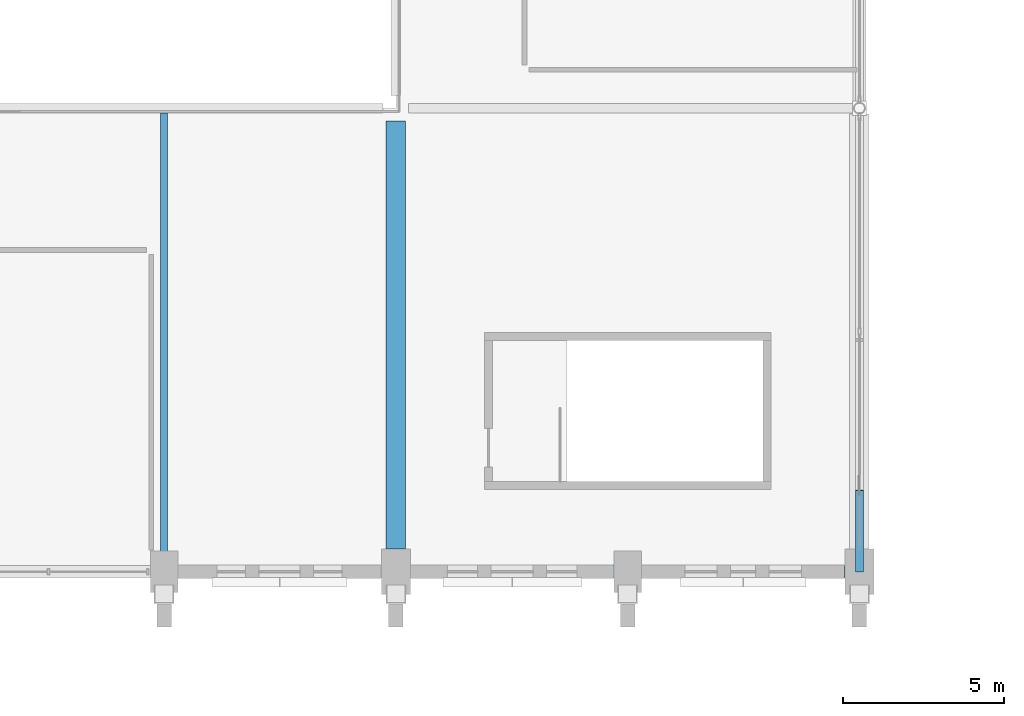
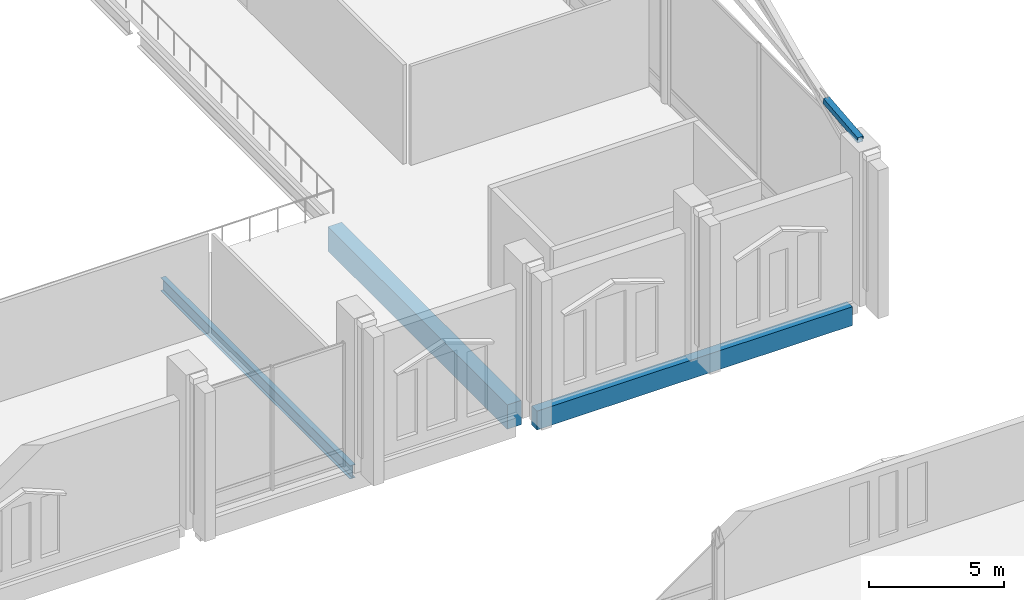
# One storey, part 47 of 220: 3 beams, 1 member.
"""IFC4 building model written with IfcOpenShell, lengths in metres."""

from ifc_helpers import new_model, si_unit, direction, frame, origin, origin_2d, place, context, subcontext, project, spatial, rectangle, hollow_rectangle, i_section, extrude, material, material_profile, profile_set, type_object, element, save


model = new_model("IFC4")

# Units and contexts
model_context = context("Model", 3, precision=1e-05, world=origin(), true_north=direction((0.0, 1.0)))
body_context = subcontext(model_context, "Body", "Model", "MODEL_VIEW")
ifc_project = project(units=[si_unit("LENGTHUNIT", "METRE"), si_unit("AREAUNIT", "SQUARE_METRE"), si_unit("VOLUMEUNIT", "CUBIC_METRE"), si_unit("PLANEANGLEUNIT", "RADIAN"), si_unit("MASSUNIT", "GRAM", prefix="KILO")], contexts=[model_context])

# Site, building, storey
site_placement = place(None, origin())
site = spatial("IfcSite", under=ifc_project, at=site_placement, CompositionType="ELEMENT")
building_placement = place(site_placement, origin())
building = spatial("IfcBuilding", under=site, at=building_placement, Name="Cendralis Lancet Convention Centre", CompositionType="ELEMENT")
storey_placement = place(building_placement, frame((0.0, 0.0, 5.39990234375)))
storey = spatial("IfcBuildingStorey", under=building, at=storey_placement, Name="L01", CompositionType="ELEMENT", Elevation=5.39990234375)

# Beam
ifc_material_1 = material(Name="Concrete G40 (C40/50)", Category="concrete")
ifc_material_profile_1 = material_profile(ifc_material_1, rectangle(XDim=0.60009765625, YDim=1.10009765625, at=origin_2d()), Name="RCB 600x1100")
ifc_profile_set_1 = profile_set([ifc_material_profile_1], Name="Concrete G40 (C40/50)")
beam_type_1 = type_object("IfcBeamType", Name="STR-BM-BG02", PredefinedType="BEAM", material=ifc_profile_set_1)
beam_1_placement = place(storey_placement, frame((108.0, 51.10009765625, -0.829833984375), z_axis=(0.0, 1.0, 0.0), x_axis=(-1.0, 0.0, 0.0)))
element("IfcBeam", 1, at=beam_1_placement, inside=storey, type_object=beam_type_1, Name="L01 Beam BG02 #1224", PredefinedType="BEAM", context=body_context, shape_type="SweptSolid", body=[
    extrude(rectangle(XDim=0.60009765625, YDim=1.10009765625, at=origin_2d()), origin(), (0.0, 0.0, 1.0), 13.2998046875),
])

# Member
ifc_material_2 = material(Name="Steel S355", Category="steel")
ifc_material_profile_2 = material_profile(ifc_material_2, hollow_rectangle(XDim=0.25, YDim=0.25, WallThickness=0.012451171875, at=origin_2d()), Name="SHS 250x250x12.5")
ifc_profile_set_2 = profile_set([ifc_material_profile_2], Name="Steel S355")
member_type = type_object("IfcMemberType", Name="STR-BR-GB01", PredefinedType="BRACE", material=ifc_profile_set_2)
member_placement = place(storey_placement, frame((122.39990234375, 52.934326171875, 7.2509765625), z_axis=(0.0, -0.995132589409, -0.09854506328), x_axis=(1.0, 0.0, 0.0)))
element("IfcMember", 2, at=member_placement, inside=storey, type_object=member_type, Name="Exhibition Gable Split X-Brace Rib GBR1 #035", PredefinedType="BRACE", context=body_context, shape_type="SweptSolid", body=[
    extrude(hollow_rectangle(XDim=0.25, YDim=0.25, WallThickness=0.012451171875, at=origin_2d()), origin(), (0.0, 0.0, 1.0), 2.546875),
])

# Beams
ifc_material_profile_3 = material_profile(ifc_material_2, i_section(OverallWidth=0.219970703125, OverallDepth=0.60009765625, WebThickness=0.011962890625, FlangeThickness=0.01904296875, FilletRadius=0.02392578125, at=origin_2d()), Name="IPE 600")
ifc_profile_set_3 = profile_set([ifc_material_profile_3], Name="Steel S355")
beam_type_2 = type_object("IfcBeamType", Name="STR-JS-BJ04", PredefinedType="JOIST", material=ifc_profile_set_3)
beam_2_placement = place(storey_placement, frame((100.800048828125, 50.60009765625, -0.579833984375), z_axis=(0.0, 1.0, 0.0), x_axis=(-1.0, 0.0, 0.0)))
element("IfcBeam", 3, at=beam_2_placement, inside=storey, type_object=beam_type_2, Name="L01 Beam BJ04 #1233", PredefinedType="JOIST", context=body_context, shape_type="SweptSolid", body=[
    extrude(i_section(OverallWidth=0.219970703125, OverallDepth=0.60009765625, WebThickness=0.011962890625, FlangeThickness=0.01904296875, FilletRadius=0.02392578125, at=origin_2d()), origin(), (0.0, 0.0, 1.0), 14.0498046875),
])
ifc_material_profile_4 = material_profile(ifc_material_1, rectangle(XDim=0.39990234375, YDim=0.85009765625, at=origin_2d()), Name="RCB 400x850")
ifc_profile_set_4 = profile_set([ifc_material_profile_4], Name="Concrete G40 (C40/50)")
beam_type_3 = type_object("IfcBeamType", Name="STR-SP-SP02", PredefinedType="SPANDREL", material=ifc_profile_set_4)
beam_3_placement = place(storey_placement, frame((108.449951171875, 50.39990234375, -0.704833984375), z_axis=(1.0, 0.0, 0.0), x_axis=(0.0, 1.0, 0.0)))
element("IfcBeam", 4, at=beam_3_placement, inside=storey, type_object=beam_type_3, Name="L01 Beam SP02 #1212", PredefinedType="SPANDREL", context=body_context, shape_type="SweptSolid", body=[
    extrude(rectangle(XDim=0.39990234375, YDim=0.85009765625, at=origin_2d()), origin(), (0.0, 0.0, 1.0), 13.5),
])

save(model, "model.ifc")
